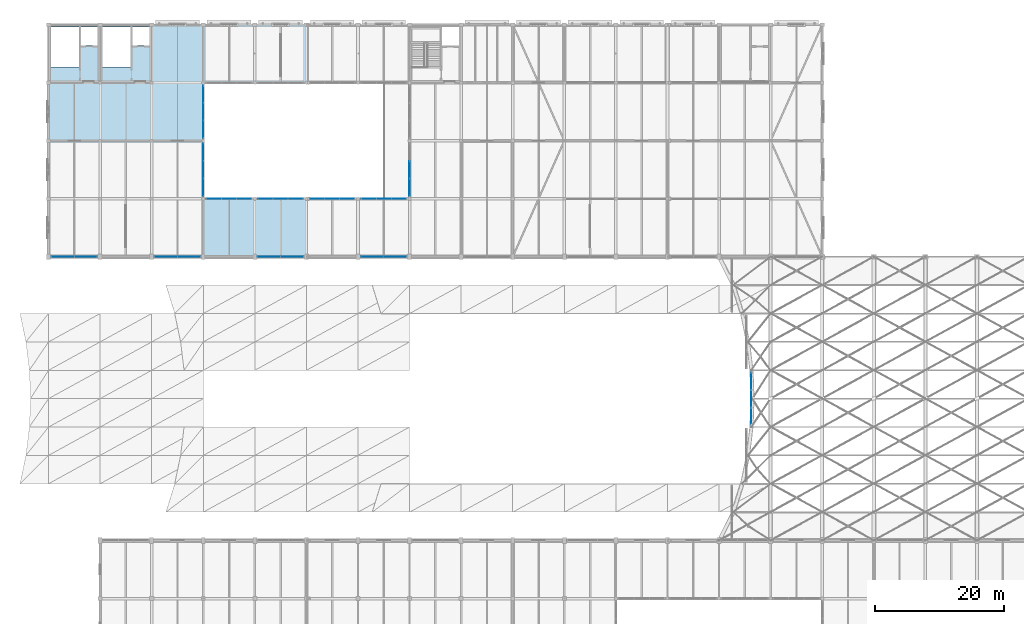
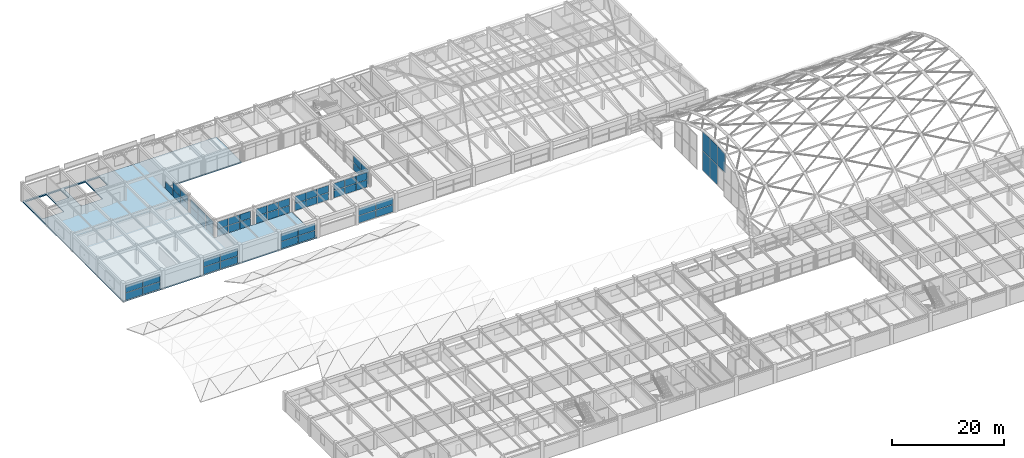
# One storey, part 88 of 126: 60 plates, 1 slab, 12 elements without a shape of their own.
"""IFC4 building model written with IfcOpenShell, lengths in metres."""

from ifc_helpers import new_model, si_unit, direction, frame, origin, origin_2d, place, context, subcontext, project, spatial, polyline, rectangle, outline, extrude, material, layer, layer_set, type_object, element, aggregate, save


model = new_model("IFC4")

# Units and contexts
model_context = context("Model", 3, precision=1e-05, world=origin(), true_north=direction((0.0, 1.0)))
body_context = subcontext(model_context, "Body", "Model", "MODEL_VIEW")
ifc_project = project(units=[si_unit("LENGTHUNIT", "METRE"), si_unit("AREAUNIT", "SQUARE_METRE"), si_unit("VOLUMEUNIT", "CUBIC_METRE"), si_unit("PLANEANGLEUNIT", "RADIAN"), si_unit("MASSUNIT", "GRAM", prefix="KILO")], contexts=[model_context])

# Site, building, storey
site_placement = place(None, origin())
site = spatial("IfcSite", under=ifc_project, at=site_placement, CompositionType="ELEMENT")
building_placement = place(site_placement, origin())
building = spatial("IfcBuilding", under=site, at=building_placement, Name="Varnabhumi Central Station", CompositionType="ELEMENT")
storey_placement = place(building_placement, frame((0.0, 0.0, 16.199951171875)))
storey = spatial("IfcBuildingStorey", under=building, at=storey_placement, Name="L03", CompositionType="ELEMENT", Elevation=16.199951171875)

# Curtain wall, plates
ifc_material_1 = material(Name="Anodised aluminium 6063-T6", Category="aluminium")
curtain_wall_type_1 = type_object("IfcCurtainWallType", Name="CW-VAULT-ARCH-V5", PredefinedType="NOTDEFINED", material=ifc_material_1)
curtain_wall_1_placement = place(storey_placement, origin())
curtain_wall_1 = element("IfcCurtainWall", 1, at=curtain_wall_1_placement, inside=storey, type_object=curtain_wall_type_1, Name="Curtain Wall CW-V53", PredefinedType="NOTDEFINED")
ifc_material_2 = material(Name="Laminated low-E double glazing", Category="glass")
ifc_layer_1 = layer(ifc_material_2, 0.035888671875, Name="Laminated low-E double glazing", Category="glass")
ifc_layer_set_1 = layer_set([ifc_layer_1], Name="Laminated low-E double glazing")
plate_type_1 = type_object("IfcPlateType", Name="CW-PNL-GLZ-1", PredefinedType="CURTAIN_PANEL", material=ifc_layer_set_1)
plate_1_placement = place(storey_placement, frame((132.992919921875, 55.300048828125, 5.56494140625), z_axis=(0.0, 0.0, 1.0), x_axis=(0.0, 1.0, 0.0)))
plate_1 = element("IfcPlate", 2, at=plate_1_placement, type_object=plate_type_1, Name="Glazed Panel CW-V53-P12", PredefinedType="CURTAIN_PANEL", context=body_context, shape_type="SweptSolid", body=[
    extrude(rectangle(XDim=2.6201171875, YDim=0.035888671875, at=origin_2d()), origin(), (0.0, 0.0, 1.0), 4.195068359375),
])
plate_2_placement = place(storey_placement, frame((132.992919921875, 58.0, 1.2900390625), z_axis=(0.0, 0.0, 1.0), x_axis=(0.0, 1.0, 0.0)))
plate_2 = element("IfcPlate", 3, at=plate_2_placement, type_object=plate_type_1, Name="Glazed Panel CW-V53-P21", PredefinedType="CURTAIN_PANEL", context=body_context, shape_type="SweptSolid", body=[
    extrude(rectangle(XDim=2.6201171875, YDim=0.035888671875, at=origin_2d()), origin(), (0.0, 0.0, 1.0), 4.195068359375),
])
plate_3_placement = place(storey_placement, frame((132.992919921875, 58.0, 5.56494140625), z_axis=(0.0, 0.0, 1.0), x_axis=(0.0, 1.0, 0.0)))
plate_3 = element("IfcPlate", 4, at=plate_3_placement, type_object=plate_type_1, Name="Glazed Panel CW-V53-P22", PredefinedType="CURTAIN_PANEL", context=body_context, shape_type="SweptSolid", body=[
    extrude(rectangle(XDim=2.6201171875, YDim=0.035888671875, at=origin_2d()), origin(), (0.0, 0.0, 1.0), 4.195068359375),
])
plate_4_placement = place(storey_placement, frame((132.992919921875, 60.699951171875, 1.2900390625), z_axis=(0.0, 0.0, 1.0), x_axis=(0.0, 1.0, 0.0)))
plate_4 = element("IfcPlate", 5, at=plate_4_placement, type_object=plate_type_1, Name="Glazed Panel CW-V53-P31", PredefinedType="CURTAIN_PANEL", context=body_context, shape_type="SweptSolid", body=[
    extrude(rectangle(XDim=2.6201171875, YDim=0.035888671875, at=origin_2d()), origin(), (0.0, 0.0, 1.0), 4.195068359375),
])
plate_5_placement = place(storey_placement, frame((132.992919921875, 60.699951171875, 5.56494140625), z_axis=(0.0, 0.0, 1.0), x_axis=(0.0, 1.0, 0.0)))
plate_5 = element("IfcPlate", 6, at=plate_5_placement, type_object=plate_type_1, Name="Glazed Panel CW-V53-P32", PredefinedType="CURTAIN_PANEL", context=body_context, shape_type="SweptSolid", body=[
    extrude(rectangle(XDim=2.6201171875, YDim=0.035888671875, at=origin_2d()), origin(), (0.0, 0.0, 1.0), 4.195068359375),
])
aggregate(curtain_wall_1, [plate_1, plate_2, plate_3, plate_4, plate_5])

curtain_wall_type_2 = type_object("IfcCurtainWallType", Name="CW-PATIO-LOGGIA-L3", PredefinedType="NOTDEFINED", material=ifc_material_1)
curtain_wall_2_placement = place(storey_placement, origin())
curtain_wall_2 = element("IfcCurtainWall", 7, at=curtain_wall_2_placement, inside=storey, type_object=curtain_wall_type_2, Name="Curtain Wall CW-NP3E1", PredefinedType="NOTDEFINED")
ifc_layer_2 = layer(ifc_material_2, 0.035888671875, Name="Laminated low-E double glazing", Category="glass")
ifc_layer_set_2 = layer_set([ifc_layer_2], Name="Laminated low-E double glazing")
plate_type_2 = type_object("IfcPlateType", Name="CW-PNL-GLZ-2", PredefinedType="CURTAIN_PANEL", material=ifc_layer_set_2)
plate_6_placement = place(storey_placement, frame((48.0, 90.780029296875, 0.0400390625), z_axis=(0.0, 0.0, 1.0), x_axis=(0.0, 1.0, 0.0)))
plate_6 = element("IfcPlate", 8, at=plate_6_placement, type_object=plate_type_2, Name="Glazed Panel CW-NP3E1-P11", PredefinedType="CURTAIN_PANEL", context=body_context, shape_type="SweptSolid", body=[
    extrude(rectangle(XDim=2.639892578125, YDim=0.035888671875, at=origin_2d()), origin(), (0.0, 0.0, 1.0), 1.5400390625),
])
plate_7_placement = place(storey_placement, frame((48.0, 90.780029296875, 1.659912109375), z_axis=(0.0, 0.0, 1.0), x_axis=(0.0, 1.0, 0.0)))
plate_7 = element("IfcPlate", 9, at=plate_7_placement, type_object=plate_type_2, Name="Glazed Panel CW-NP3E1-P12", PredefinedType="CURTAIN_PANEL", context=body_context, shape_type="SweptSolid", body=[
    extrude(rectangle(XDim=2.639892578125, YDim=0.035888671875, at=origin_2d()), origin(), (0.0, 0.0, 1.0), 1.5400390625),
])
plate_8_placement = place(storey_placement, frame((48.0, 93.5, 0.0400390625), z_axis=(0.0, 0.0, 1.0), x_axis=(0.0, 1.0, 0.0)))
plate_8 = element("IfcPlate", 10, at=plate_8_placement, type_object=plate_type_2, Name="Glazed Panel CW-NP3E1-P21", PredefinedType="CURTAIN_PANEL", context=body_context, shape_type="SweptSolid", body=[
    extrude(rectangle(XDim=2.639892578125, YDim=0.035888671875, at=origin_2d()), origin(), (0.0, 0.0, 1.0), 1.5400390625),
])
plate_9_placement = place(storey_placement, frame((48.0, 93.5, 1.659912109375), z_axis=(0.0, 0.0, 1.0), x_axis=(0.0, 1.0, 0.0)))
plate_9 = element("IfcPlate", 11, at=plate_9_placement, type_object=plate_type_2, Name="Glazed Panel CW-NP3E1-P22", PredefinedType="CURTAIN_PANEL", context=body_context, shape_type="SweptSolid", body=[
    extrude(rectangle(XDim=2.639892578125, YDim=0.035888671875, at=origin_2d()), origin(), (0.0, 0.0, 1.0), 1.5400390625),
])
plate_10_placement = place(storey_placement, frame((48.0, 96.219970703125, 0.0400390625), z_axis=(0.0, 0.0, 1.0), x_axis=(0.0, 1.0, 0.0)))
plate_10 = element("IfcPlate", 12, at=plate_10_placement, type_object=plate_type_2, Name="Glazed Panel CW-NP3E1-P31", PredefinedType="CURTAIN_PANEL", context=body_context, shape_type="SweptSolid", body=[
    extrude(rectangle(XDim=2.639892578125, YDim=0.035888671875, at=origin_2d()), origin(), (0.0, 0.0, 1.0), 1.5400390625),
])
plate_11_placement = place(storey_placement, frame((48.0, 96.219970703125, 1.659912109375), z_axis=(0.0, 0.0, 1.0), x_axis=(0.0, 1.0, 0.0)))
plate_11 = element("IfcPlate", 13, at=plate_11_placement, type_object=plate_type_2, Name="Glazed Panel CW-NP3E1-P32", PredefinedType="CURTAIN_PANEL", context=body_context, shape_type="SweptSolid", body=[
    extrude(rectangle(XDim=2.639892578125, YDim=0.035888671875, at=origin_2d()), origin(), (0.0, 0.0, 1.0), 1.5400390625),
])
aggregate(curtain_wall_2, [plate_6, plate_7, plate_8, plate_9, plate_10, plate_11])

curtain_wall_3_placement = place(storey_placement, origin())
curtain_wall_3 = element("IfcCurtainWall", 14, at=curtain_wall_3_placement, inside=storey, type_object=curtain_wall_type_2, Name="Curtain Wall CW-NP3W1", PredefinedType="NOTDEFINED")
plate_12_placement = place(storey_placement, frame((80.0, 90.780029296875, 0.0400390625), z_axis=(0.0, 0.0, 1.0), x_axis=(0.0, 1.0, 0.0)))
plate_12 = element("IfcPlate", 15, at=plate_12_placement, type_object=plate_type_2, Name="Glazed Panel CW-NP3W1-P11", PredefinedType="CURTAIN_PANEL", context=body_context, shape_type="SweptSolid", body=[
    extrude(rectangle(XDim=2.639892578125, YDim=0.035888671875, at=origin_2d()), origin(), (0.0, 0.0, 1.0), 1.5400390625),
])
plate_13_placement = place(storey_placement, frame((80.0, 90.780029296875, 1.659912109375), z_axis=(0.0, 0.0, 1.0), x_axis=(0.0, 1.0, 0.0)))
plate_13 = element("IfcPlate", 16, at=plate_13_placement, type_object=plate_type_2, Name="Glazed Panel CW-NP3W1-P12", PredefinedType="CURTAIN_PANEL", context=body_context, shape_type="SweptSolid", body=[
    extrude(rectangle(XDim=2.639892578125, YDim=0.035888671875, at=origin_2d()), origin(), (0.0, 0.0, 1.0), 1.5400390625),
])
plate_14_placement = place(storey_placement, frame((80.0, 93.5, 0.0400390625), z_axis=(0.0, 0.0, 1.0), x_axis=(0.0, 1.0, 0.0)))
plate_14 = element("IfcPlate", 17, at=plate_14_placement, type_object=plate_type_2, Name="Glazed Panel CW-NP3W1-P21", PredefinedType="CURTAIN_PANEL", context=body_context, shape_type="SweptSolid", body=[
    extrude(rectangle(XDim=2.639892578125, YDim=0.035888671875, at=origin_2d()), origin(), (0.0, 0.0, 1.0), 1.5400390625),
])
plate_15_placement = place(storey_placement, frame((80.0, 93.5, 1.659912109375), z_axis=(0.0, 0.0, 1.0), x_axis=(0.0, 1.0, 0.0)))
plate_15 = element("IfcPlate", 18, at=plate_15_placement, type_object=plate_type_2, Name="Glazed Panel CW-NP3W1-P22", PredefinedType="CURTAIN_PANEL", context=body_context, shape_type="SweptSolid", body=[
    extrude(rectangle(XDim=2.639892578125, YDim=0.035888671875, at=origin_2d()), origin(), (0.0, 0.0, 1.0), 1.5400390625),
])
aggregate(curtain_wall_3, [plate_12, plate_13, plate_14, plate_15])

curtain_wall_4_placement = place(storey_placement, origin())
curtain_wall_4 = element("IfcCurtainWall", 19, at=curtain_wall_4_placement, inside=storey, type_object=curtain_wall_type_2, Name="Curtain Wall CW-NP3E2", PredefinedType="NOTDEFINED")
plate_16_placement = place(storey_placement, frame((48.0, 99.780029296875, 0.0400390625), z_axis=(0.0, 0.0, 1.0), x_axis=(0.0, 1.0, 0.0)))
plate_16 = element("IfcPlate", 20, at=plate_16_placement, type_object=plate_type_2, Name="Glazed Panel CW-NP3E2-P11", PredefinedType="CURTAIN_PANEL", context=body_context, shape_type="SweptSolid", body=[
    extrude(rectangle(XDim=2.639892578125, YDim=0.035888671875, at=origin_2d()), origin(), (0.0, 0.0, 1.0), 1.5400390625),
])
plate_17_placement = place(storey_placement, frame((48.0, 99.780029296875, 1.659912109375), z_axis=(0.0, 0.0, 1.0), x_axis=(0.0, 1.0, 0.0)))
plate_17 = element("IfcPlate", 21, at=plate_17_placement, type_object=plate_type_2, Name="Glazed Panel CW-NP3E2-P12", PredefinedType="CURTAIN_PANEL", context=body_context, shape_type="SweptSolid", body=[
    extrude(rectangle(XDim=2.639892578125, YDim=0.035888671875, at=origin_2d()), origin(), (0.0, 0.0, 1.0), 1.5400390625),
])
plate_18_placement = place(storey_placement, frame((48.0, 102.5, 0.0400390625), z_axis=(0.0, 0.0, 1.0), x_axis=(0.0, 1.0, 0.0)))
plate_18 = element("IfcPlate", 22, at=plate_18_placement, type_object=plate_type_2, Name="Glazed Panel CW-NP3E2-P21", PredefinedType="CURTAIN_PANEL", context=body_context, shape_type="SweptSolid", body=[
    extrude(rectangle(XDim=2.639892578125, YDim=0.035888671875, at=origin_2d()), origin(), (0.0, 0.0, 1.0), 1.5400390625),
])
plate_19_placement = place(storey_placement, frame((48.0, 102.5, 1.659912109375), z_axis=(0.0, 0.0, 1.0), x_axis=(0.0, 1.0, 0.0)))
plate_19 = element("IfcPlate", 23, at=plate_19_placement, type_object=plate_type_2, Name="Glazed Panel CW-NP3E2-P22", PredefinedType="CURTAIN_PANEL", context=body_context, shape_type="SweptSolid", body=[
    extrude(rectangle(XDim=2.639892578125, YDim=0.035888671875, at=origin_2d()), origin(), (0.0, 0.0, 1.0), 1.5400390625),
])
plate_20_placement = place(storey_placement, frame((48.0, 105.219970703125, 0.0400390625), z_axis=(0.0, 0.0, 1.0), x_axis=(0.0, 1.0, 0.0)))
plate_20 = element("IfcPlate", 24, at=plate_20_placement, type_object=plate_type_2, Name="Glazed Panel CW-NP3E2-P31", PredefinedType="CURTAIN_PANEL", context=body_context, shape_type="SweptSolid", body=[
    extrude(rectangle(XDim=2.639892578125, YDim=0.035888671875, at=origin_2d()), origin(), (0.0, 0.0, 1.0), 1.5400390625),
])
aggregate(curtain_wall_4, [plate_16, plate_17, plate_18, plate_19, plate_20])

curtain_wall_5_placement = place(storey_placement, origin())
curtain_wall_5 = element("IfcCurtainWall", 25, at=curtain_wall_5_placement, inside=storey, type_object=curtain_wall_type_2, Name="Curtain Wall CW-NP3S1", PredefinedType="NOTDEFINED")
ifc_layer_3 = layer(ifc_material_2, 0.035888671875, Name="Laminated low-E double glazing", Category="glass")
ifc_layer_set_3 = layer_set([ifc_layer_3], Name="Laminated low-E double glazing")
plate_type_3 = type_object("IfcPlateType", Name="CW-PNL-GLZ-4", PredefinedType="CURTAIN_PANEL", material=ifc_layer_set_3)
plate_21_placement = place(storey_placement, frame((49.679931640625, 89.0, 0.0400390625), z_axis=(0.0, 0.0, 1.0), x_axis=(1.0, 0.0, 0.0)))
plate_21 = element("IfcPlate", 26, at=plate_21_placement, type_object=plate_type_3, Name="Glazed Panel CW-NP3S1-P11", PredefinedType="CURTAIN_PANEL", context=body_context, shape_type="SweptSolid", body=[
    extrude(rectangle(XDim=2.239990234375, YDim=0.035888671875, at=origin_2d()), origin(), (0.0, 0.0, 1.0), 1.5400390625),
])
plate_22_placement = place(storey_placement, frame((49.679931640625, 89.0, 1.659912109375), z_axis=(0.0, 0.0, 1.0), x_axis=(1.0, 0.0, 0.0)))
plate_22 = element("IfcPlate", 27, at=plate_22_placement, type_object=plate_type_3, Name="Glazed Panel CW-NP3S1-P12", PredefinedType="CURTAIN_PANEL", context=body_context, shape_type="SweptSolid", body=[
    extrude(rectangle(XDim=2.239990234375, YDim=0.035888671875, at=origin_2d()), origin(), (0.0, 0.0, 1.0), 1.5400390625),
])
plate_23_placement = place(storey_placement, frame((52.0, 89.0, 0.0400390625), z_axis=(0.0, 0.0, 1.0), x_axis=(1.0, 0.0, 0.0)))
plate_23 = element("IfcPlate", 28, at=plate_23_placement, type_object=plate_type_3, Name="Glazed Panel CW-NP3S1-P21", PredefinedType="CURTAIN_PANEL", context=body_context, shape_type="SweptSolid", body=[
    extrude(rectangle(XDim=2.239990234375, YDim=0.035888671875, at=origin_2d()), origin(), (0.0, 0.0, 1.0), 1.5400390625),
])
plate_24_placement = place(storey_placement, frame((52.0, 89.0, 1.659912109375), z_axis=(0.0, 0.0, 1.0), x_axis=(1.0, 0.0, 0.0)))
plate_24 = element("IfcPlate", 29, at=plate_24_placement, type_object=plate_type_3, Name="Glazed Panel CW-NP3S1-P22", PredefinedType="CURTAIN_PANEL", context=body_context, shape_type="SweptSolid", body=[
    extrude(rectangle(XDim=2.239990234375, YDim=0.035888671875, at=origin_2d()), origin(), (0.0, 0.0, 1.0), 1.5400390625),
])
plate_25_placement = place(storey_placement, frame((54.320068359375, 89.0, 0.0400390625), z_axis=(0.0, 0.0, 1.0), x_axis=(1.0, 0.0, 0.0)))
plate_25 = element("IfcPlate", 30, at=plate_25_placement, type_object=plate_type_3, Name="Glazed Panel CW-NP3S1-P31", PredefinedType="CURTAIN_PANEL", context=body_context, shape_type="SweptSolid", body=[
    extrude(rectangle(XDim=2.239990234375, YDim=0.035888671875, at=origin_2d()), origin(), (0.0, 0.0, 1.0), 1.5400390625),
])
plate_26_placement = place(storey_placement, frame((54.320068359375, 89.0, 1.659912109375), z_axis=(0.0, 0.0, 1.0), x_axis=(1.0, 0.0, 0.0)))
plate_26 = element("IfcPlate", 31, at=plate_26_placement, type_object=plate_type_3, Name="Glazed Panel CW-NP3S1-P32", PredefinedType="CURTAIN_PANEL", context=body_context, shape_type="SweptSolid", body=[
    extrude(rectangle(XDim=2.239990234375, YDim=0.035888671875, at=origin_2d()), origin(), (0.0, 0.0, 1.0), 1.5400390625),
])
aggregate(curtain_wall_5, [plate_21, plate_22, plate_23, plate_24, plate_25, plate_26])

curtain_wall_type_3 = type_object("IfcCurtainWallType", Name="CW-SPINE-SCREEN-L0", PredefinedType="NOTDEFINED", material=ifc_material_1)
curtain_wall_6_placement = place(storey_placement, origin())
curtain_wall_6 = element("IfcCurtainWall", 32, at=curtain_wall_6_placement, inside=storey, type_object=curtain_wall_type_3, Name="Curtain Wall CW-NS300", PredefinedType="NOTDEFINED")
ifc_layer_4 = layer(ifc_material_2, 0.035888671875, Name="Laminated low-E double glazing", Category="glass")
ifc_layer_set_4 = layer_set([ifc_layer_4], Name="Laminated low-E double glazing")
plate_type_4 = type_object("IfcPlateType", Name="CW-PNL-GLZ-5", PredefinedType="CURTAIN_PANEL", material=ifc_layer_set_4)
plate_27_placement = place(storey_placement, frame((26.22509765625, 80.0, 0.0400390625), z_axis=(0.0, 0.0, 1.0), x_axis=(1.0, 0.0, 0.0)))
plate_27 = element("IfcPlate", 33, at=plate_27_placement, type_object=plate_type_4, Name="Glazed Panel CW-NS300-P11", PredefinedType="CURTAIN_PANEL", context=body_context, shape_type="SweptSolid", body=[
    extrude(rectangle(XDim=3.469970703125, YDim=0.035888671875, at=origin_2d()), origin(), (0.0, 0.0, 1.0), 1.5400390625),
])
plate_28_placement = place(storey_placement, frame((26.22509765625, 80.0, 1.659912109375), z_axis=(0.0, 0.0, 1.0), x_axis=(1.0, 0.0, 0.0)))
plate_28 = element("IfcPlate", 34, at=plate_28_placement, type_object=plate_type_4, Name="Glazed Panel CW-NS300-P12", PredefinedType="CURTAIN_PANEL", context=body_context, shape_type="SweptSolid", body=[
    extrude(rectangle(XDim=3.469970703125, YDim=0.035888671875, at=origin_2d()), origin(), (0.0, 0.0, 1.0), 1.5400390625),
])
plate_29_placement = place(storey_placement, frame((29.77490234375, 80.0, 0.0400390625), z_axis=(0.0, 0.0, 1.0), x_axis=(1.0, 0.0, 0.0)))
plate_29 = element("IfcPlate", 35, at=plate_29_placement, type_object=plate_type_4, Name="Glazed Panel CW-NS300-P21", PredefinedType="CURTAIN_PANEL", context=body_context, shape_type="SweptSolid", body=[
    extrude(rectangle(XDim=3.469970703125, YDim=0.035888671875, at=origin_2d()), origin(), (0.0, 0.0, 1.0), 1.5400390625),
])
plate_30_placement = place(storey_placement, frame((29.77490234375, 80.0, 1.659912109375), z_axis=(0.0, 0.0, 1.0), x_axis=(1.0, 0.0, 0.0)))
plate_30 = element("IfcPlate", 36, at=plate_30_placement, type_object=plate_type_4, Name="Glazed Panel CW-NS300-P22", PredefinedType="CURTAIN_PANEL", context=body_context, shape_type="SweptSolid", body=[
    extrude(rectangle(XDim=3.469970703125, YDim=0.035888671875, at=origin_2d()), origin(), (0.0, 0.0, 1.0), 1.5400390625),
])
aggregate(curtain_wall_6, [plate_27, plate_28, plate_29, plate_30])

curtain_wall_7_placement = place(storey_placement, origin())
curtain_wall_7 = element("IfcCurtainWall", 37, at=curtain_wall_7_placement, inside=storey, type_object=curtain_wall_type_3, Name="Curtain Wall CW-NS302", PredefinedType="NOTDEFINED")
plate_31_placement = place(storey_placement, frame((42.22509765625, 80.0, 0.0400390625), z_axis=(0.0, 0.0, 1.0), x_axis=(1.0, 0.0, 0.0)))
plate_31 = element("IfcPlate", 38, at=plate_31_placement, type_object=plate_type_4, Name="Glazed Panel CW-NS302-P11", PredefinedType="CURTAIN_PANEL", context=body_context, shape_type="SweptSolid", body=[
    extrude(rectangle(XDim=3.469970703125, YDim=0.035888671875, at=origin_2d()), origin(), (0.0, 0.0, 1.0), 1.5400390625),
])
plate_32_placement = place(storey_placement, frame((42.22509765625, 80.0, 1.659912109375), z_axis=(0.0, 0.0, 1.0), x_axis=(1.0, 0.0, 0.0)))
plate_32 = element("IfcPlate", 39, at=plate_32_placement, type_object=plate_type_4, Name="Glazed Panel CW-NS302-P12", PredefinedType="CURTAIN_PANEL", context=body_context, shape_type="SweptSolid", body=[
    extrude(rectangle(XDim=3.469970703125, YDim=0.035888671875, at=origin_2d()), origin(), (0.0, 0.0, 1.0), 1.5400390625),
])
plate_33_placement = place(storey_placement, frame((45.77490234375, 80.0, 0.0400390625), z_axis=(0.0, 0.0, 1.0), x_axis=(1.0, 0.0, 0.0)))
plate_33 = element("IfcPlate", 40, at=plate_33_placement, type_object=plate_type_4, Name="Glazed Panel CW-NS302-P21", PredefinedType="CURTAIN_PANEL", context=body_context, shape_type="SweptSolid", body=[
    extrude(rectangle(XDim=3.469970703125, YDim=0.035888671875, at=origin_2d()), origin(), (0.0, 0.0, 1.0), 1.5400390625),
])
plate_34_placement = place(storey_placement, frame((45.77490234375, 80.0, 1.659912109375), z_axis=(0.0, 0.0, 1.0), x_axis=(1.0, 0.0, 0.0)))
plate_34 = element("IfcPlate", 41, at=plate_34_placement, type_object=plate_type_4, Name="Glazed Panel CW-NS302-P22", PredefinedType="CURTAIN_PANEL", context=body_context, shape_type="SweptSolid", body=[
    extrude(rectangle(XDim=3.469970703125, YDim=0.035888671875, at=origin_2d()), origin(), (0.0, 0.0, 1.0), 1.5400390625),
])
aggregate(curtain_wall_7, [plate_31, plate_32, plate_33, plate_34])

curtain_wall_8_placement = place(storey_placement, origin())
curtain_wall_8 = element("IfcCurtainWall", 42, at=curtain_wall_8_placement, inside=storey, type_object=curtain_wall_type_3, Name="Curtain Wall CW-NS304", PredefinedType="NOTDEFINED")
plate_35_placement = place(storey_placement, frame((58.22509765625, 80.0, 0.0400390625), z_axis=(0.0, 0.0, 1.0), x_axis=(1.0, 0.0, 0.0)))
plate_35 = element("IfcPlate", 43, at=plate_35_placement, type_object=plate_type_4, Name="Glazed Panel CW-NS304-P11", PredefinedType="CURTAIN_PANEL", context=body_context, shape_type="SweptSolid", body=[
    extrude(rectangle(XDim=3.469970703125, YDim=0.035888671875, at=origin_2d()), origin(), (0.0, 0.0, 1.0), 1.5400390625),
])
plate_36_placement = place(storey_placement, frame((58.22509765625, 80.0, 1.659912109375), z_axis=(0.0, 0.0, 1.0), x_axis=(1.0, 0.0, 0.0)))
plate_36 = element("IfcPlate", 44, at=plate_36_placement, type_object=plate_type_4, Name="Glazed Panel CW-NS304-P12", PredefinedType="CURTAIN_PANEL", context=body_context, shape_type="SweptSolid", body=[
    extrude(rectangle(XDim=3.469970703125, YDim=0.035888671875, at=origin_2d()), origin(), (0.0, 0.0, 1.0), 1.5400390625),
])
plate_37_placement = place(storey_placement, frame((61.77490234375, 80.0, 0.0400390625), z_axis=(0.0, 0.0, 1.0), x_axis=(1.0, 0.0, 0.0)))
plate_37 = element("IfcPlate", 45, at=plate_37_placement, type_object=plate_type_4, Name="Glazed Panel CW-NS304-P21", PredefinedType="CURTAIN_PANEL", context=body_context, shape_type="SweptSolid", body=[
    extrude(rectangle(XDim=3.469970703125, YDim=0.035888671875, at=origin_2d()), origin(), (0.0, 0.0, 1.0), 1.5400390625),
])
plate_38_placement = place(storey_placement, frame((61.77490234375, 80.0, 1.659912109375), z_axis=(0.0, 0.0, 1.0), x_axis=(1.0, 0.0, 0.0)))
plate_38 = element("IfcPlate", 46, at=plate_38_placement, type_object=plate_type_4, Name="Glazed Panel CW-NS304-P22", PredefinedType="CURTAIN_PANEL", context=body_context, shape_type="SweptSolid", body=[
    extrude(rectangle(XDim=3.469970703125, YDim=0.035888671875, at=origin_2d()), origin(), (0.0, 0.0, 1.0), 1.5400390625),
])
aggregate(curtain_wall_8, [plate_35, plate_36, plate_37, plate_38])

curtain_wall_9_placement = place(storey_placement, origin())
curtain_wall_9 = element("IfcCurtainWall", 47, at=curtain_wall_9_placement, inside=storey, type_object=curtain_wall_type_3, Name="Curtain Wall CW-NS306", PredefinedType="NOTDEFINED")
plate_39_placement = place(storey_placement, frame((74.22509765625, 80.0, 0.0400390625), z_axis=(0.0, 0.0, 1.0), x_axis=(1.0, 0.0, 0.0)))
plate_39 = element("IfcPlate", 48, at=plate_39_placement, type_object=plate_type_4, Name="Glazed Panel CW-NS306-P11", PredefinedType="CURTAIN_PANEL", context=body_context, shape_type="SweptSolid", body=[
    extrude(rectangle(XDim=3.469970703125, YDim=0.035888671875, at=origin_2d()), origin(), (0.0, 0.0, 1.0), 1.5400390625),
])
plate_40_placement = place(storey_placement, frame((74.22509765625, 80.0, 1.659912109375), z_axis=(0.0, 0.0, 1.0), x_axis=(1.0, 0.0, 0.0)))
plate_40 = element("IfcPlate", 49, at=plate_40_placement, type_object=plate_type_4, Name="Glazed Panel CW-NS306-P12", PredefinedType="CURTAIN_PANEL", context=body_context, shape_type="SweptSolid", body=[
    extrude(rectangle(XDim=3.469970703125, YDim=0.035888671875, at=origin_2d()), origin(), (0.0, 0.0, 1.0), 1.5400390625),
])
plate_41_placement = place(storey_placement, frame((77.77490234375, 80.0, 0.0400390625), z_axis=(0.0, 0.0, 1.0), x_axis=(1.0, 0.0, 0.0)))
plate_41 = element("IfcPlate", 50, at=plate_41_placement, type_object=plate_type_4, Name="Glazed Panel CW-NS306-P21", PredefinedType="CURTAIN_PANEL", context=body_context, shape_type="SweptSolid", body=[
    extrude(rectangle(XDim=3.469970703125, YDim=0.035888671875, at=origin_2d()), origin(), (0.0, 0.0, 1.0), 1.5400390625),
])
plate_42_placement = place(storey_placement, frame((77.77490234375, 80.0, 1.659912109375), z_axis=(0.0, 0.0, 1.0), x_axis=(1.0, 0.0, 0.0)))
plate_42 = element("IfcPlate", 51, at=plate_42_placement, type_object=plate_type_4, Name="Glazed Panel CW-NS306-P22", PredefinedType="CURTAIN_PANEL", context=body_context, shape_type="SweptSolid", body=[
    extrude(rectangle(XDim=3.469970703125, YDim=0.035888671875, at=origin_2d()), origin(), (0.0, 0.0, 1.0), 1.5400390625),
])
aggregate(curtain_wall_9, [plate_39, plate_40, plate_41, plate_42])

curtain_wall_10_placement = place(storey_placement, origin())
curtain_wall_10 = element("IfcCurtainWall", 52, at=curtain_wall_10_placement, inside=storey, type_object=curtain_wall_type_2, Name="Curtain Wall CW-NP3S2", PredefinedType="NOTDEFINED")
plate_43_placement = place(storey_placement, frame((57.679931640625, 89.0, 0.0400390625), z_axis=(0.0, 0.0, 1.0), x_axis=(1.0, 0.0, 0.0)))
plate_43 = element("IfcPlate", 53, at=plate_43_placement, type_object=plate_type_4, Name="Glazed Panel CW-NP3S2-P11", PredefinedType="CURTAIN_PANEL", context=body_context, shape_type="SweptSolid", body=[
    extrude(rectangle(XDim=2.239990234375, YDim=0.035888671875, at=origin_2d()), origin(), (0.0, 0.0, 1.0), 1.5400390625),
])
plate_44_placement = place(storey_placement, frame((57.679931640625, 89.0, 1.659912109375), z_axis=(0.0, 0.0, 1.0), x_axis=(1.0, 0.0, 0.0)))
plate_44 = element("IfcPlate", 54, at=plate_44_placement, type_object=plate_type_4, Name="Glazed Panel CW-NP3S2-P12", PredefinedType="CURTAIN_PANEL", context=body_context, shape_type="SweptSolid", body=[
    extrude(rectangle(XDim=2.239990234375, YDim=0.035888671875, at=origin_2d()), origin(), (0.0, 0.0, 1.0), 1.5400390625),
])
plate_45_placement = place(storey_placement, frame((60.0, 89.0, 0.0400390625), z_axis=(0.0, 0.0, 1.0), x_axis=(1.0, 0.0, 0.0)))
plate_45 = element("IfcPlate", 55, at=plate_45_placement, type_object=plate_type_4, Name="Glazed Panel CW-NP3S2-P21", PredefinedType="CURTAIN_PANEL", context=body_context, shape_type="SweptSolid", body=[
    extrude(rectangle(XDim=2.239990234375, YDim=0.035888671875, at=origin_2d()), origin(), (0.0, 0.0, 1.0), 1.5400390625),
])
plate_46_placement = place(storey_placement, frame((60.0, 89.0, 1.659912109375), z_axis=(0.0, 0.0, 1.0), x_axis=(1.0, 0.0, 0.0)))
plate_46 = element("IfcPlate", 56, at=plate_46_placement, type_object=plate_type_4, Name="Glazed Panel CW-NP3S2-P22", PredefinedType="CURTAIN_PANEL", context=body_context, shape_type="SweptSolid", body=[
    extrude(rectangle(XDim=2.239990234375, YDim=0.035888671875, at=origin_2d()), origin(), (0.0, 0.0, 1.0), 1.5400390625),
])
plate_47_placement = place(storey_placement, frame((62.320068359375, 89.0, 0.0400390625), z_axis=(0.0, 0.0, 1.0), x_axis=(1.0, 0.0, 0.0)))
plate_47 = element("IfcPlate", 57, at=plate_47_placement, type_object=plate_type_4, Name="Glazed Panel CW-NP3S2-P31", PredefinedType="CURTAIN_PANEL", context=body_context, shape_type="SweptSolid", body=[
    extrude(rectangle(XDim=2.239990234375, YDim=0.035888671875, at=origin_2d()), origin(), (0.0, 0.0, 1.0), 1.5400390625),
])
plate_48_placement = place(storey_placement, frame((62.320068359375, 89.0, 1.659912109375), z_axis=(0.0, 0.0, 1.0), x_axis=(1.0, 0.0, 0.0)))
plate_48 = element("IfcPlate", 58, at=plate_48_placement, type_object=plate_type_4, Name="Glazed Panel CW-NP3S2-P32", PredefinedType="CURTAIN_PANEL", context=body_context, shape_type="SweptSolid", body=[
    extrude(rectangle(XDim=2.239990234375, YDim=0.035888671875, at=origin_2d()), origin(), (0.0, 0.0, 1.0), 1.5400390625),
])
aggregate(curtain_wall_10, [plate_43, plate_44, plate_45, plate_46, plate_47, plate_48])

curtain_wall_11_placement = place(storey_placement, origin())
curtain_wall_11 = element("IfcCurtainWall", 59, at=curtain_wall_11_placement, inside=storey, type_object=curtain_wall_type_2, Name="Curtain Wall CW-NP3S3", PredefinedType="NOTDEFINED")
ifc_layer_5 = layer(ifc_material_2, 0.035888671875, Name="Laminated low-E double glazing", Category="glass")
ifc_layer_set_5 = layer_set([ifc_layer_5], Name="Laminated low-E double glazing")
plate_type_5 = type_object("IfcPlateType", Name="CW-PNL-GLZ-6", PredefinedType="CURTAIN_PANEL", material=ifc_layer_set_5)
plate_49_placement = place(storey_placement, frame((65.679931640625, 89.0, 0.0400390625), z_axis=(0.0, 0.0, 1.0), x_axis=(1.0, 0.0, 0.0)))
plate_49 = element("IfcPlate", 60, at=plate_49_placement, type_object=plate_type_5, Name="Glazed Panel CW-NP3S3-P11", PredefinedType="CURTAIN_PANEL", context=body_context, shape_type="SweptSolid", body=[
    extrude(rectangle(XDim=2.239990234375, YDim=0.035888671875, at=origin_2d()), origin(), (0.0, 0.0, 1.0), 1.5400390625),
])
plate_50_placement = place(storey_placement, frame((65.679931640625, 89.0, 1.659912109375), z_axis=(0.0, 0.0, 1.0), x_axis=(1.0, 0.0, 0.0)))
plate_50 = element("IfcPlate", 61, at=plate_50_placement, type_object=plate_type_5, Name="Glazed Panel CW-NP3S3-P12", PredefinedType="CURTAIN_PANEL", context=body_context, shape_type="SweptSolid", body=[
    extrude(rectangle(XDim=2.239990234375, YDim=0.035888671875, at=origin_2d()), origin(), (0.0, 0.0, 1.0), 1.5400390625),
])
plate_51_placement = place(storey_placement, frame((68.0, 89.0, 0.0400390625), z_axis=(0.0, 0.0, 1.0), x_axis=(1.0, 0.0, 0.0)))
plate_51 = element("IfcPlate", 62, at=plate_51_placement, type_object=plate_type_5, Name="Glazed Panel CW-NP3S3-P21", PredefinedType="CURTAIN_PANEL", context=body_context, shape_type="SweptSolid", body=[
    extrude(rectangle(XDim=2.239990234375, YDim=0.035888671875, at=origin_2d()), origin(), (0.0, 0.0, 1.0), 1.5400390625),
])
plate_52_placement = place(storey_placement, frame((68.0, 89.0, 1.659912109375), z_axis=(0.0, 0.0, 1.0), x_axis=(1.0, 0.0, 0.0)))
plate_52 = element("IfcPlate", 63, at=plate_52_placement, type_object=plate_type_5, Name="Glazed Panel CW-NP3S3-P22", PredefinedType="CURTAIN_PANEL", context=body_context, shape_type="SweptSolid", body=[
    extrude(rectangle(XDim=2.239990234375, YDim=0.035888671875, at=origin_2d()), origin(), (0.0, 0.0, 1.0), 1.5400390625),
])
plate_53_placement = place(storey_placement, frame((70.320068359375, 89.0, 0.0400390625), z_axis=(0.0, 0.0, 1.0), x_axis=(1.0, 0.0, 0.0)))
plate_53 = element("IfcPlate", 64, at=plate_53_placement, type_object=plate_type_5, Name="Glazed Panel CW-NP3S3-P31", PredefinedType="CURTAIN_PANEL", context=body_context, shape_type="SweptSolid", body=[
    extrude(rectangle(XDim=2.239990234375, YDim=0.035888671875, at=origin_2d()), origin(), (0.0, 0.0, 1.0), 1.5400390625),
])
plate_54_placement = place(storey_placement, frame((70.320068359375, 89.0, 1.659912109375), z_axis=(0.0, 0.0, 1.0), x_axis=(1.0, 0.0, 0.0)))
plate_54 = element("IfcPlate", 65, at=plate_54_placement, type_object=plate_type_5, Name="Glazed Panel CW-NP3S3-P32", PredefinedType="CURTAIN_PANEL", context=body_context, shape_type="SweptSolid", body=[
    extrude(rectangle(XDim=2.239990234375, YDim=0.035888671875, at=origin_2d()), origin(), (0.0, 0.0, 1.0), 1.5400390625),
])
aggregate(curtain_wall_11, [plate_49, plate_50, plate_51, plate_52, plate_53, plate_54])

curtain_wall_12_placement = place(storey_placement, origin())
curtain_wall_12 = element("IfcCurtainWall", 66, at=curtain_wall_12_placement, inside=storey, type_object=curtain_wall_type_2, Name="Curtain Wall CW-NP3S4", PredefinedType="NOTDEFINED")
ifc_layer_6 = layer(ifc_material_2, 0.035888671875, Name="Laminated low-E double glazing", Category="glass")
ifc_layer_set_6 = layer_set([ifc_layer_6], Name="Laminated low-E double glazing")
plate_type_6 = type_object("IfcPlateType", Name="CW-PNL-GLZ-7", PredefinedType="CURTAIN_PANEL", material=ifc_layer_set_6)
plate_55_placement = place(storey_placement, frame((73.679931640625, 89.0, 0.0400390625), z_axis=(0.0, 0.0, 1.0), x_axis=(1.0, 0.0, 0.0)))
plate_55 = element("IfcPlate", 67, at=plate_55_placement, type_object=plate_type_6, Name="Glazed Panel CW-NP3S4-P11", PredefinedType="CURTAIN_PANEL", context=body_context, shape_type="SweptSolid", body=[
    extrude(rectangle(XDim=2.239990234375, YDim=0.035888671875, at=origin_2d()), origin(), (0.0, 0.0, 1.0), 1.5400390625),
])
plate_56_placement = place(storey_placement, frame((73.679931640625, 89.0, 1.659912109375), z_axis=(0.0, 0.0, 1.0), x_axis=(1.0, 0.0, 0.0)))
plate_56 = element("IfcPlate", 68, at=plate_56_placement, type_object=plate_type_6, Name="Glazed Panel CW-NP3S4-P12", PredefinedType="CURTAIN_PANEL", context=body_context, shape_type="SweptSolid", body=[
    extrude(rectangle(XDim=2.239990234375, YDim=0.035888671875, at=origin_2d()), origin(), (0.0, 0.0, 1.0), 1.5400390625),
])
plate_57_placement = place(storey_placement, frame((76.0, 89.0, 0.0400390625), z_axis=(0.0, 0.0, 1.0), x_axis=(1.0, 0.0, 0.0)))
plate_57 = element("IfcPlate", 69, at=plate_57_placement, type_object=plate_type_6, Name="Glazed Panel CW-NP3S4-P21", PredefinedType="CURTAIN_PANEL", context=body_context, shape_type="SweptSolid", body=[
    extrude(rectangle(XDim=2.239990234375, YDim=0.035888671875, at=origin_2d()), origin(), (0.0, 0.0, 1.0), 1.5400390625),
])
plate_58_placement = place(storey_placement, frame((76.0, 89.0, 1.659912109375), z_axis=(0.0, 0.0, 1.0), x_axis=(1.0, 0.0, 0.0)))
plate_58 = element("IfcPlate", 70, at=plate_58_placement, type_object=plate_type_6, Name="Glazed Panel CW-NP3S4-P22", PredefinedType="CURTAIN_PANEL", context=body_context, shape_type="SweptSolid", body=[
    extrude(rectangle(XDim=2.239990234375, YDim=0.035888671875, at=origin_2d()), origin(), (0.0, 0.0, 1.0), 1.5400390625),
])
plate_59_placement = place(storey_placement, frame((78.320068359375, 89.0, 0.0400390625), z_axis=(0.0, 0.0, 1.0), x_axis=(1.0, 0.0, 0.0)))
plate_59 = element("IfcPlate", 71, at=plate_59_placement, type_object=plate_type_6, Name="Glazed Panel CW-NP3S4-P31", PredefinedType="CURTAIN_PANEL", context=body_context, shape_type="SweptSolid", body=[
    extrude(rectangle(XDim=2.239990234375, YDim=0.035888671875, at=origin_2d()), origin(), (0.0, 0.0, 1.0), 1.5400390625),
])
plate_60_placement = place(storey_placement, frame((78.320068359375, 89.0, 1.659912109375), z_axis=(0.0, 0.0, 1.0), x_axis=(1.0, 0.0, 0.0)))
plate_60 = element("IfcPlate", 72, at=plate_60_placement, type_object=plate_type_6, Name="Glazed Panel CW-NP3S4-P32", PredefinedType="CURTAIN_PANEL", context=body_context, shape_type="SweptSolid", body=[
    extrude(rectangle(XDim=2.239990234375, YDim=0.035888671875, at=origin_2d()), origin(), (0.0, 0.0, 1.0), 1.5400390625),
])
aggregate(curtain_wall_12, [plate_55, plate_56, plate_57, plate_58, plate_59, plate_60])

# Slab
ifc_material_3 = material(Name="Concrete M40", Category="concrete")
ifc_layer_7 = layer(ifc_material_3, 0.25, Name="Concrete M40", Category="concrete")
ifc_layer_set_7 = layer_set([ifc_layer_7], Name="Concrete M40")
slab_type = type_object("IfcSlabType", Name="SLB-WING-250", PredefinedType="FLOOR", material=ifc_layer_set_7)
slab_placement = place(storey_placement, frame((0.0, 0.0, -0.25)))
element("IfcSlab", 73, at=slab_placement, inside=storey, type_object=slab_type, Name="North Wing L03 Floor Slab Zone 1", PredefinedType="FLOOR", context=body_context, shape_type="SweptSolid", body=[
    extrude(outline(polyline([(24.0, 80.0), (63.93994140625, 80.0), (63.93994140625, 89.0), (48.0, 89.0), (48.0, 107.0), (63.93994140625, 107.0), (63.93994140625, 116.0), (24.0, 116.0), (24.0, 80.0)]), holes=[polyline([(24.330078125, 109.419921875), (28.760009765625, 109.419921875), (28.760009765625, 115.64990234375), (24.330078125, 115.64990234375), (24.330078125, 109.419921875)]), polyline([(29.0400390625, 112.75), (31.669921875, 112.75), (31.669921875, 115.64990234375), (29.0400390625, 115.64990234375), (29.0400390625, 112.75)]), polyline([(32.330078125, 109.419921875), (36.760009765625, 109.419921875), (36.760009765625, 115.64990234375), (32.330078125, 115.64990234375), (32.330078125, 109.419921875)]), polyline([(37.0400390625, 112.75), (39.669921875, 112.75), (39.669921875, 115.64990234375), (37.0400390625, 115.64990234375), (37.0400390625, 112.75)])]), origin(), (0.0, 0.0, 1.0), 0.25),
])

save(model, "model.ifc")
